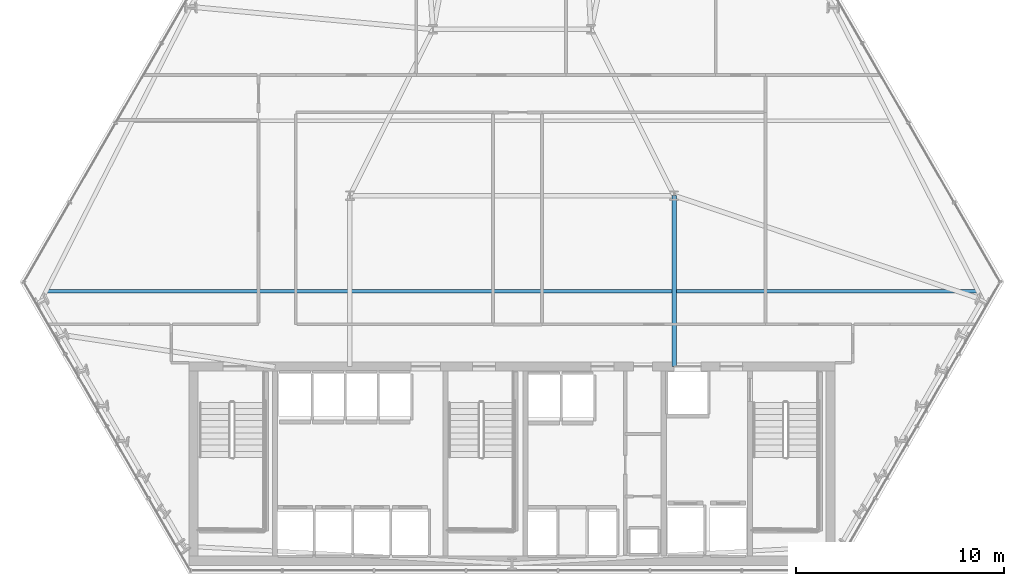
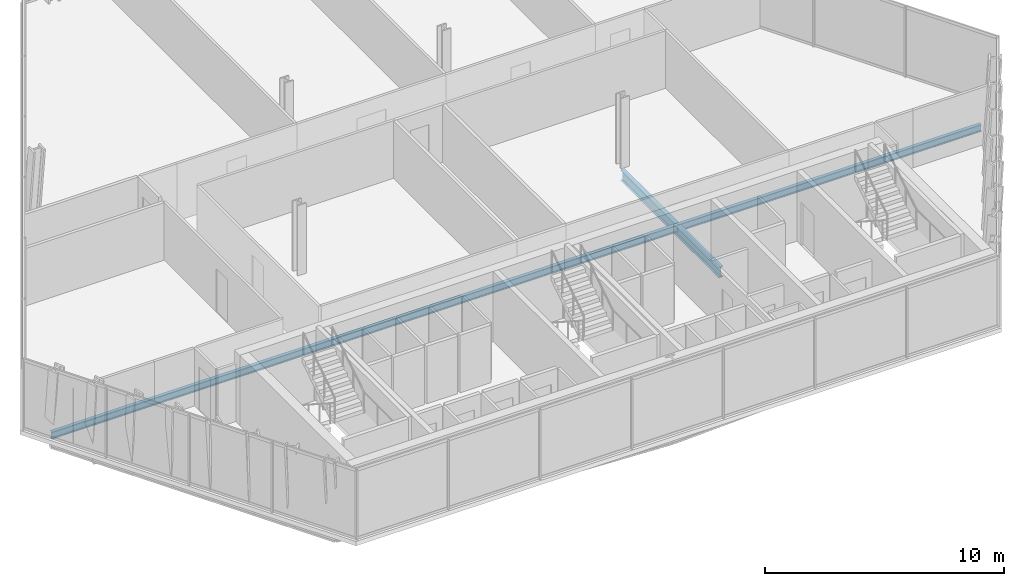
# One storey, part 9 of 32: 2 beams.
"""IFC4 building model written with IfcOpenShell, lengths in metres."""

from ifc_helpers import new_model, si_unit, direction, frame, origin, origin_2d, place, context, subcontext, project, spatial, i_section, extrude, material, material_profile, profile_set, type_object, element, save


model = new_model("IFC4")

# Units and contexts
model_context = context("Model", 3, precision=1e-05, world=origin(), true_north=direction((0.0, 1.0)))
body_context = subcontext(model_context, "Body", "Model", "MODEL_VIEW")
ifc_project = project(units=[si_unit("LENGTHUNIT", "METRE"), si_unit("AREAUNIT", "SQUARE_METRE"), si_unit("VOLUMEUNIT", "CUBIC_METRE"), si_unit("PLANEANGLEUNIT", "RADIAN"), si_unit("MASSUNIT", "GRAM", prefix="KILO")], contexts=[model_context])

# Site, building, storey
site_placement = place(None, origin())
site = spatial("IfcSite", under=ifc_project, at=site_placement, CompositionType="ELEMENT")
building_placement = place(site_placement, origin())
building = spatial("IfcBuilding", under=site, at=building_placement, Name="Ndaravel Arena Tower", CompositionType="ELEMENT")
storey_placement = place(building_placement, frame((0.0, 0.0, 55.0)))
storey = spatial("IfcBuildingStorey", under=building, at=storey_placement, Name="L11", CompositionType="ELEMENT", Elevation=55.0)

# Beams
ifc_material_1 = material(Name="Steel S355", Category="steel")
ifc_material_profile_1 = material_profile(ifc_material_1, i_section(OverallWidth=0.210693359375, OverallDepth=0.53955078125, WebThickness=0.01171875, FlangeThickness=0.018798828125, FilletRadius=0.0126953125, at=origin_2d()), Name="UB 533x210x109")
ifc_profile_set_1 = profile_set([ifc_material_profile_1], Name="Steel S355")
beam_type_1 = type_object("IfcBeamType", Name="BM-GIRD-UB533", PredefinedType="BEAM", material=ifc_profile_set_1)
beam_1_placement = place(storey_placement, frame((49.800048828125, 14.97998046875, -0.48974609375), z_axis=(0.0, 1.0, 0.0), x_axis=(-1.0, 0.0, 0.0)))
element("IfcBeam", 1, at=beam_1_placement, inside=storey, type_object=beam_type_1, Name="L11 Spine Link Girder SLG-02", PredefinedType="BEAM", context=body_context, shape_type="SweptSolid", body=[
    extrude(i_section(OverallWidth=0.210693359375, OverallDepth=0.53955078125, WebThickness=0.01171875, FlangeThickness=0.018798828125, FilletRadius=0.0126953125, at=origin_2d()), origin(), (0.0, 0.0, 1.0), 8.219970703125),
])
ifc_material_2 = material(Name="Steel S355", Category="steel")
ifc_material_profile_2 = material_profile(ifc_material_2, i_section(OverallWidth=0.169921875, OverallDepth=0.360107421875, WebThickness=0.008056640625, FlangeThickness=0.0126953125, FilletRadius=0.01806640625, at=origin_2d()), Name="IPE 360")
ifc_profile_set_2 = profile_set([ifc_material_profile_2], Name="Steel S355")
beam_type_2 = type_object("IfcBeamType", Name="BM-JOIST-IPE360", PredefinedType="JOIST", material=ifc_profile_set_2)
beam_2_placement = place(storey_placement, frame((19.57275390625, 18.60009765625, -0.39990234375), z_axis=(1.0, 0.0, 0.0), x_axis=(0.0, 1.0, 0.0)))
element("IfcBeam", 2, at=beam_2_placement, inside=storey, type_object=beam_type_2, Name="L11 Composite Floor Joist FJ-01", PredefinedType="JOIST", context=body_context, shape_type="SweptSolid", body=[
    extrude(i_section(OverallWidth=0.169921875, OverallDepth=0.360107421875, WebThickness=0.008056640625, FlangeThickness=0.0126953125, FilletRadius=0.01806640625, at=origin_2d()), origin(), (0.0, 0.0, 1.0), 44.8544921875),
])

save(model, "model.ifc")
